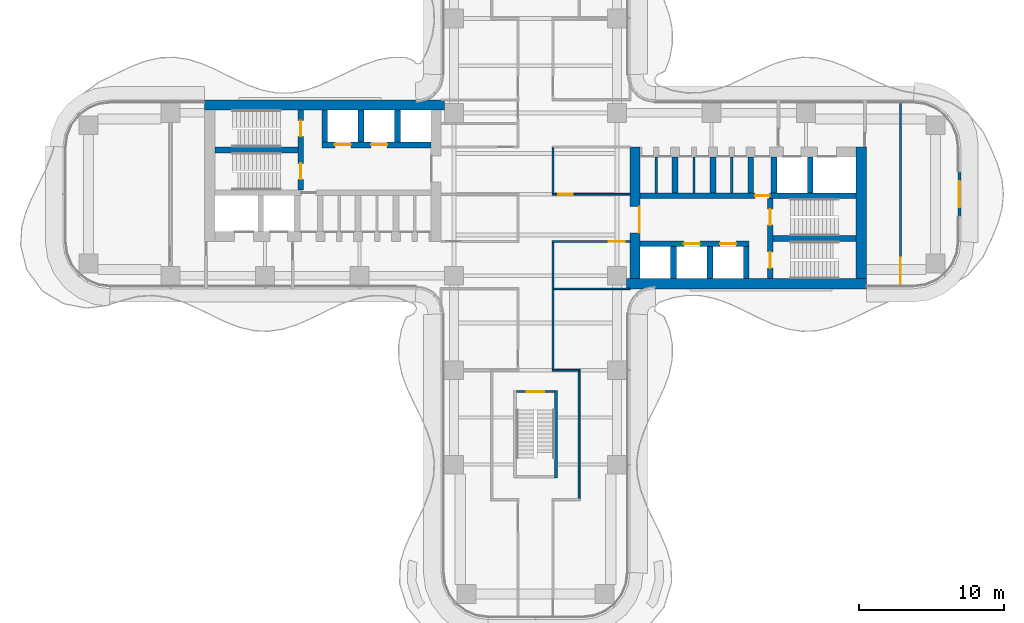
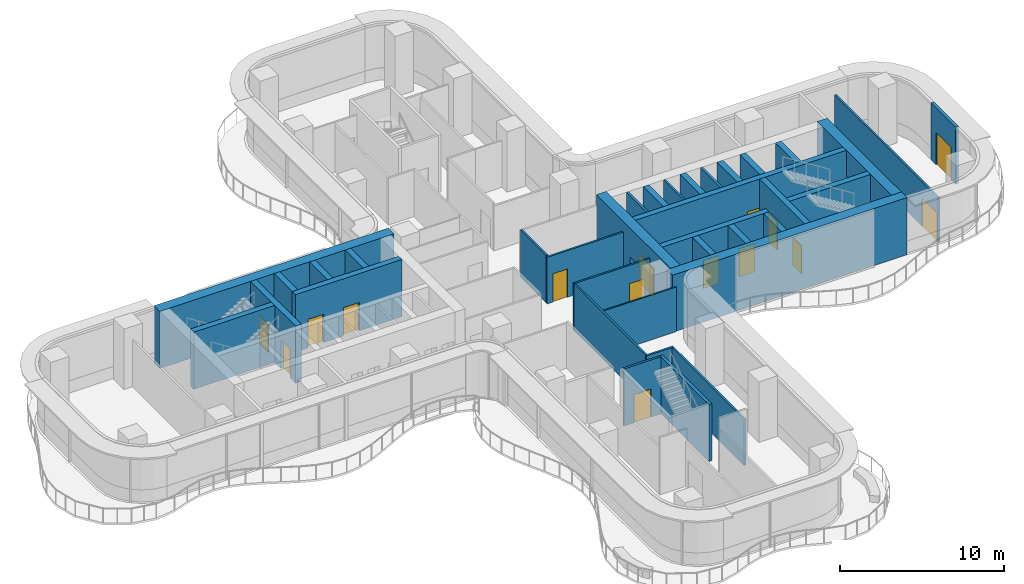
# One storey, part 17 of 21: 36 walls, 15 doors, 15 openings.
"""IFC4 building model written with IfcOpenShell, lengths in metres."""

from ifc_helpers import new_model, si_unit, direction, frame, frame_2d, origin, place, context, subcontext, project, spatial, rectangle, extrude, source, transform, mapped, material, layer, layer_set, type_object, element, fill, save


model = new_model("IFC4")

# Units and contexts
model_context = context("Model", 3, precision=1e-05, world=origin(), true_north=direction((0.0, 1.0)))
body_context = subcontext(model_context, "Body", "Model", "MODEL_VIEW")
ifc_project = project(units=[si_unit("LENGTHUNIT", "METRE"), si_unit("AREAUNIT", "SQUARE_METRE"), si_unit("VOLUMEUNIT", "CUBIC_METRE"), si_unit("PLANEANGLEUNIT", "RADIAN"), si_unit("MASSUNIT", "GRAM", prefix="KILO")], contexts=[model_context])

# Site, building, storey
site_placement = place(None, origin())
site = spatial("IfcSite", under=ifc_project, at=site_placement, CompositionType="ELEMENT")
building_placement = place(site_placement, origin())
building = spatial("IfcBuilding", under=site, at=building_placement, Name="Trellis Farm Tower", CompositionType="ELEMENT")
storey_placement = place(building_placement, frame((0.0, 0.0, 115.5)))
storey = spatial("IfcBuildingStorey", under=building, at=storey_placement, Name="L24", CompositionType="ELEMENT", Elevation=115.5)

# Wall, opening, door
ifc_material_1 = material(Name="Concrete C70/85", Category="concrete")
ifc_layer_1 = layer(ifc_material_1, 0.699951171875)
ifc_layer_set_1 = layer_set([ifc_layer_1], Name="CORE OUTER WALL 700 CONCRETE C70/85")
wall_type_1 = type_object("IfcWallType", Name="CORE OUTER WALL 700 CONCRETE C70/85", PredefinedType="SHEAR", material=ifc_layer_set_1)
shared_shape_1 = source(origin(), body_context, "Body", "SweptSolid", [
    extrude(rectangle(XDim=9.050048828125, YDim=0.699951171875, at=frame_2d((4.52490234375, 0.0))), origin(), (0.0, 0.0, 1.0), 4.25),
])
wall_1_placement = place(storey_placement, frame((6.85009765625, -5.800048828125, 0.0), z_axis=(0.0, 0.0, 1.0), x_axis=(0.0, 1.0, 0.0)))
wall_1 = element("IfcWall", 1, at=wall_1_placement, inside=storey, type_object=wall_type_1, Name="Core wall", PredefinedType="SHEAR", context=body_context, shape_type="MappedRepresentation", body=[
    mapped(shared_shape_1, transform((0.0, 0.0, 0.0))),
])
shared_shape_2 = source(origin(), body_context, "Body", "SweptSolid", [
    extrude(rectangle(XDim=1.800048828125, YDim=2.10009765625, at=frame_2d((0.89990234375, 1.050048828125))), frame((0.0, 0.360107421875, 0.0), z_axis=(0.0, -1.0, 0.0), x_axis=(1.0, 0.0, 0.0)), (0.0, 0.0, 1.0), 0.72021484375),
])
opening_1_placement = place(wall_1_placement, frame((3.14990234375, 0.0, 0.0)))
opening_1 = element("IfcOpeningElement", 2, at=opening_1_placement, cuts=wall_1, Name="Opening DC1", PredefinedType="OPENING", context=body_context, shape_type="MappedRepresentation", body=[
    mapped(shared_shape_2, transform((0.0, 0.0, 0.0))),
])
ifc_material_2 = material(Name="Steel", Category="steel")
door_type_1 = type_object("IfcDoorType", Name="CORE FIRE DOOR DOUBLE 1800 X 2100", OperationType="DOUBLE_DOOR_SINGLE_SWING", PredefinedType="DOOR", material=ifc_material_2)
shared_shape_3 = source(origin(), body_context, "Body", "SweptSolid", [
    extrude(rectangle(XDim=1.800048828125, YDim=2.10009765625, at=frame_2d((0.89990234375, 1.050048828125))), frame((0.0, -0.27490234375, 0.0), z_axis=(0.0, -1.0, 0.0), x_axis=(1.0, 0.0, 0.0)), (0.0, 0.0, 1.0), 0.050048828125),
])
door_1_placement = place(opening_1_placement, origin())
door_1 = element("IfcDoor", 3, at=door_1_placement, inside=storey, type_object=door_type_1, Name="Core door", OperationType="DOUBLE_DOOR_SINGLE_SWING", OverallHeight=2.10009765625, OverallWidth=1.800048828125, PredefinedType="DOOR", context=body_context, shape_type="MappedRepresentation", body=[
    mapped(shared_shape_3, transform((0.0, 0.0, 0.0))),
])
fill(opening_1, door_1)

# Walls
wall_2_placement = place(storey_placement, frame((22.39990234375, -5.800048828125, 0.0), z_axis=(0.0, 0.0, 1.0), x_axis=(0.0, 1.0, 0.0)))
element("IfcWall", 4, at=wall_2_placement, inside=storey, type_object=wall_type_1, Name="Core wall", PredefinedType="SHEAR", context=body_context, shape_type="MappedRepresentation", body=[
    mapped(shared_shape_1, transform((0.0, 0.0, 0.0))),
])
ifc_layer_2 = layer(ifc_material_1, 0.39990234375)
ifc_layer_set_2 = layer_set([ifc_layer_2], Name="CORE INNER WALL 400 CONCRETE C70/85")
wall_type_2 = type_object("IfcWallType", Name="CORE INNER WALL 400 CONCRETE C70/85", PredefinedType="SHEAR", material=ifc_layer_set_2)
shared_shape_4 = source(origin(), body_context, "Body", "SweptSolid", [
    extrude(rectangle(XDim=2.199951171875, YDim=0.39990234375, at=frame_2d((1.10009765625, 0.0))), origin(), (0.0, 0.0, 1.0), 4.25),
])
for number, where, z_axis, x_axis, name in (
    (5, (9.5, -5.800048828125, 0.0), (0.0, 0.0, 1.0), (0.0, 1.0, 0.0), "Core wall"),
    (6, (12.0, -5.800048828125, 0.0), (0.0, 0.0, 1.0), (0.0, 1.0, 0.0), "Core wall"),
    (7, (14.5, -5.800048828125, 0.0), (0.0, 0.0, 1.0), (0.0, 1.0, 0.0), "Core wall"),
    (8, (-9.5, 5.800048828125, 0.0), (0.0, 0.0, 1.0), (0.0, -1.0, 0.0), "Core wall"),
    (9, (-12.0, 5.800048828125, 0.0), (0.0, 0.0, 1.0), (0.0, -1.0, 0.0), "Core wall"),
    (10, (-14.5, 5.800048828125, 0.0), (0.0, 0.0, 1.0), (0.0, -1.0, 0.0), "Core wall"),
):
    element("IfcWall", number, at=place(storey_placement, frame(where, z_axis=z_axis, x_axis=x_axis)), inside=storey, type_object=wall_type_2, Name=name, PredefinedType="SHEAR", context=body_context, shape_type="MappedRepresentation", body=[
        mapped(shared_shape_4, transform((0.0, 0.0, 0.0))),
    ])
shared_shape_5 = source(origin(), body_context, "Body", "SweptSolid", [
    extrude(rectangle(XDim=2.449951171875, YDim=0.39990234375, at=frame_2d((1.22509765625, 0.0))), origin(), (0.0, 0.0, 1.0), 4.25),
])
for number, where, z_axis, x_axis, name in (
    (11, (9.60009765625, 0.10009765625, 0.0), (0.0, 0.0, 1.0), (0.0, 1.0, 0.0), "Core wall"),
    (12, (12.199951171875, 0.10009765625, 0.0), (0.0, 0.0, 1.0), (0.0, 1.0, 0.0), "Core wall"),
    (13, (14.800048828125, 0.10009765625, 0.0), (0.0, 0.0, 1.0), (0.0, 1.0, 0.0), "Core wall"),
    (14, (16.39990234375, 0.10009765625, 0.0), (0.0, 0.0, 1.0), (0.0, 1.0, 0.0), "Core wall"),
    (15, (18.89990234375, 0.10009765625, 0.0), (0.0, 0.0, 1.0), (0.0, 1.0, 0.0), "Core wall"),
):
    element("IfcWall", number, at=place(storey_placement, frame(where, z_axis=z_axis, x_axis=x_axis)), inside=storey, type_object=wall_type_2, Name=name, PredefinedType="SHEAR", context=body_context, shape_type="MappedRepresentation", body=[
        mapped(shared_shape_5, transform((0.0, 0.0, 0.0))),
    ])

# Wall, openings, doors
shared_shape_6 = source(origin(), body_context, "Body", "SweptSolid", [
    extrude(rectangle(XDim=7.5, YDim=0.39990234375, at=frame_2d((3.75, 0.0))), origin(), (0.0, 0.0, 1.0), 4.25),
])
wall_3_placement = place(storey_placement, frame((7.199951171875, -3.39990234375, 0.0), z_axis=(0.0, 0.0, 1.0), x_axis=(1.0, 0.0, 0.0)))
wall_3 = element("IfcWall", 16, at=wall_3_placement, inside=storey, type_object=wall_type_2, Name="Core wall", PredefinedType="SHEAR", context=body_context, shape_type="MappedRepresentation", body=[
    mapped(shared_shape_6, transform((0.0, 0.0, 0.0))),
])
shared_shape_7 = source(origin(), body_context, "Body", "SweptSolid", [
    extrude(rectangle(XDim=1.10009765625, YDim=2.10009765625, at=frame_2d((0.550048828125, 1.050048828125))), frame((0.0, 0.2099609375, 0.0), z_axis=(0.0, -1.0, 0.0), x_axis=(1.0, 0.0, 0.0)), (0.0, 0.0, 1.0), 0.419921875),
])
opening_2_placement = place(wall_3_placement, frame((3.0, 0.0, 0.0)))
opening_2 = element("IfcOpeningElement", 17, at=opening_2_placement, cuts=wall_3, Name="Opening LD2", PredefinedType="OPENING", context=body_context, shape_type="MappedRepresentation", body=[
    mapped(shared_shape_7, transform((0.0, 0.0, 0.0))),
])
opening_3_placement = place(wall_3_placement, frame((5.5, 0.0, 0.0)))
opening_3 = element("IfcOpeningElement", 18, at=opening_3_placement, cuts=wall_3, Name="Opening LD3", PredefinedType="OPENING", context=body_context, shape_type="MappedRepresentation", body=[
    mapped(shared_shape_7, transform((0.0, 0.0, 0.0))),
])
ifc_material_3 = material(Name="Stainless steel", Category="steel")
door_type_2 = type_object("IfcDoorType", Name="LIFT LANDING DOOR 1100 X 2100", OperationType="DOUBLE_DOOR_SLIDING", PredefinedType="DOOR", material=ifc_material_3)
shared_shape_8 = source(origin(), body_context, "Body", "SweptSolid", [
    extrude(rectangle(XDim=1.10009765625, YDim=2.10009765625, at=frame_2d((0.550048828125, 1.050048828125))), frame((0.0, 0.02490234375, 0.0), z_axis=(0.0, -1.0, 0.0), x_axis=(1.0, 0.0, 0.0)), (0.0, 0.0, 1.0), 0.050048828125),
])
door_2_placement = place(opening_2_placement, origin())
door_2 = element("IfcDoor", 19, at=door_2_placement, inside=storey, type_object=door_type_2, Name="Lift landing door", OperationType="DOUBLE_DOOR_SLIDING", OverallHeight=2.10009765625, OverallWidth=1.10009765625, PredefinedType="DOOR", context=body_context, shape_type="MappedRepresentation", body=[
    mapped(shared_shape_8, transform((0.0, 0.0, 0.0))),
])
fill(opening_2, door_2)
door_3_placement = place(opening_3_placement, origin())
door_3 = element("IfcDoor", 20, at=door_3_placement, inside=storey, type_object=door_type_2, Name="Lift landing door", OperationType="DOUBLE_DOOR_SLIDING", OverallHeight=2.10009765625, OverallWidth=1.10009765625, PredefinedType="DOOR", context=body_context, shape_type="MappedRepresentation", body=[
    mapped(shared_shape_8, transform((0.0, 0.0, 0.0))),
])
fill(opening_3, door_3)

wall_4_placement = place(storey_placement, frame((-7.199951171875, 3.39990234375, 0.0), z_axis=(0.0, 0.0, 1.0), x_axis=(-1.0, 0.0, 0.0)))
wall_4 = element("IfcWall", 21, at=wall_4_placement, inside=storey, type_object=wall_type_2, Name="Core wall", PredefinedType="SHEAR", context=body_context, shape_type="MappedRepresentation", body=[
    mapped(shared_shape_6, transform((0.0, 0.0, 0.0))),
])
opening_4_placement = place(wall_4_placement, frame((3.0, 0.0, 0.0)))
opening_4 = element("IfcOpeningElement", 22, at=opening_4_placement, cuts=wall_4, Name="Opening LD10", PredefinedType="OPENING", context=body_context, shape_type="MappedRepresentation", body=[
    mapped(shared_shape_7, transform((0.0, 0.0, 0.0))),
])
opening_5_placement = place(wall_4_placement, frame((5.5, 0.0, 0.0)))
opening_5 = element("IfcOpeningElement", 23, at=opening_5_placement, cuts=wall_4, Name="Opening LD11", PredefinedType="OPENING", context=body_context, shape_type="MappedRepresentation", body=[
    mapped(shared_shape_7, transform((0.0, 0.0, 0.0))),
])
door_4_placement = place(opening_4_placement, origin())
door_4 = element("IfcDoor", 24, at=door_4_placement, inside=storey, type_object=door_type_2, Name="Lift landing door", OperationType="DOUBLE_DOOR_SLIDING", OverallHeight=2.10009765625, OverallWidth=1.10009765625, PredefinedType="DOOR", context=body_context, shape_type="MappedRepresentation", body=[
    mapped(shared_shape_8, transform((0.0, 0.0, 0.0))),
])
fill(opening_4, door_4)
door_5_placement = place(opening_5_placement, origin())
door_5 = element("IfcDoor", 25, at=door_5_placement, inside=storey, type_object=door_type_2, Name="Lift landing door", OperationType="DOUBLE_DOOR_SLIDING", OverallHeight=2.10009765625, OverallWidth=1.10009765625, PredefinedType="DOOR", context=body_context, shape_type="MappedRepresentation", body=[
    mapped(shared_shape_8, transform((0.0, 0.0, 0.0))),
])
fill(opening_5, door_5)

# Wall, opening, door
shared_shape_9 = source(origin(), body_context, "Body", "SweptSolid", [
    extrude(rectangle(XDim=14.85009765625, YDim=0.39990234375, at=frame_2d((7.425048828125, 0.0))), origin(), (0.0, 0.0, 1.0), 4.25),
])
wall_5_placement = place(storey_placement, frame((7.199951171875, -0.10009765625, 0.0), z_axis=(0.0, 0.0, 1.0), x_axis=(1.0, 0.0, 0.0)))
wall_5 = element("IfcWall", 26, at=wall_5_placement, inside=storey, type_object=wall_type_2, Name="Core wall", PredefinedType="SHEAR", context=body_context, shape_type="MappedRepresentation", body=[
    mapped(shared_shape_9, transform((0.0, 0.0, 0.0))),
])
shared_shape_10 = source(origin(), body_context, "Body", "SweptSolid", [
    extrude(rectangle(XDim=1.0, YDim=2.10009765625, at=frame_2d((0.5, 1.050048828125))), frame((0.0, 0.2099609375, 0.0), z_axis=(0.0, -1.0, 0.0), x_axis=(1.0, 0.0, 0.0)), (0.0, 0.0, 1.0), 0.419921875),
])
opening_6_placement = place(wall_5_placement, frame((7.89990234375, 0.0, 0.0)))
opening_6 = element("IfcOpeningElement", 27, at=opening_6_placement, cuts=wall_5, Name="Opening DC5", PredefinedType="OPENING", context=body_context, shape_type="MappedRepresentation", body=[
    mapped(shared_shape_10, transform((0.0, 0.0, 0.0))),
])
door_type_3 = type_object("IfcDoorType", Name="CORE FIRE DOOR 1000 X 2100", OperationType="NOTDEFINED", PredefinedType="DOOR", material=ifc_material_2)
shared_shape_11 = source(origin(), body_context, "Body", "SweptSolid", [
    extrude(rectangle(XDim=1.0, YDim=2.10009765625, at=frame_2d((0.5, 1.050048828125))), frame((0.0, 0.02490234375, 0.0), z_axis=(0.0, -1.0, 0.0), x_axis=(1.0, 0.0, 0.0)), (0.0, 0.0, 1.0), 0.050048828125),
])
door_6_placement = place(opening_6_placement, origin())
door_6 = element("IfcDoor", 28, at=door_6_placement, inside=storey, type_object=door_type_3, Name="Core door", OperationType="SINGLE_SWING_RIGHT", OverallHeight=2.10009765625, OverallWidth=1.0, PredefinedType="DOOR", context=body_context, shape_type="MappedRepresentation", body=[
    mapped(shared_shape_11, transform((0.0, 0.0, 0.0))),
])
fill(opening_6, door_6)

# Wall, openings, doors
shared_shape_12 = source(origin(), body_context, "Body", "SweptSolid", [
    extrude(rectangle(XDim=5.5, YDim=0.39990234375, at=frame_2d((2.75, 0.0))), origin(), (0.0, 0.0, 1.0), 4.25),
])
wall_6_placement = place(storey_placement, frame((16.14990234375, -5.800048828125, 0.0), z_axis=(0.0, 0.0, 1.0), x_axis=(0.0, 1.0, 0.0)))
wall_6 = element("IfcWall", 29, at=wall_6_placement, inside=storey, type_object=wall_type_2, Name="Core wall", PredefinedType="SHEAR", context=body_context, shape_type="MappedRepresentation", body=[
    mapped(shared_shape_12, transform((0.0, 0.0, 0.0))),
])
opening_7_placement = place(wall_6_placement, frame((0.72509765625, 0.0, 0.0)))
opening_7 = element("IfcOpeningElement", 30, at=opening_7_placement, cuts=wall_6, Name="Opening DC2", PredefinedType="OPENING", context=body_context, shape_type="MappedRepresentation", body=[
    mapped(shared_shape_7, transform((0.0, 0.0, 0.0))),
])
opening_8_placement = place(wall_6_placement, frame((3.675048828125, 0.0, 0.0)))
opening_8 = element("IfcOpeningElement", 31, at=opening_8_placement, cuts=wall_6, Name="Opening DC3", PredefinedType="OPENING", context=body_context, shape_type="MappedRepresentation", body=[
    mapped(shared_shape_7, transform((0.0, 0.0, 0.0))),
])
door_type_4 = type_object("IfcDoorType", Name="CORE FIRE DOOR 1100 X 2100", OperationType="NOTDEFINED", PredefinedType="DOOR", material=ifc_material_2)
door_7_placement = place(opening_7_placement, origin())
door_7 = element("IfcDoor", 32, at=door_7_placement, inside=storey, type_object=door_type_4, Name="Core door", OperationType="SINGLE_SWING_RIGHT", OverallHeight=2.10009765625, OverallWidth=1.10009765625, PredefinedType="DOOR", context=body_context, shape_type="MappedRepresentation", body=[
    mapped(shared_shape_8, transform((0.0, 0.0, 0.0))),
])
fill(opening_7, door_7)
door_8_placement = place(opening_8_placement, origin())
door_8 = element("IfcDoor", 33, at=door_8_placement, inside=storey, type_object=door_type_4, Name="Core door", OperationType="SINGLE_SWING_LEFT", OverallHeight=2.10009765625, OverallWidth=1.10009765625, PredefinedType="DOOR", context=body_context, shape_type="MappedRepresentation", body=[
    mapped(shared_shape_8, transform((0.0, 0.0, 0.0))),
])
fill(opening_8, door_8)

wall_7_placement = place(storey_placement, frame((-16.14990234375, 5.800048828125, 0.0), z_axis=(0.0, 0.0, 1.0), x_axis=(0.0, -1.0, 0.0)))
wall_7 = element("IfcWall", 34, at=wall_7_placement, inside=storey, type_object=wall_type_2, Name="Core wall", PredefinedType="SHEAR", context=body_context, shape_type="MappedRepresentation", body=[
    mapped(shared_shape_12, transform((0.0, 0.0, 0.0))),
])
opening_9_placement = place(wall_7_placement, frame((0.72509765625, 0.0, 0.0)))
opening_9 = element("IfcOpeningElement", 35, at=opening_9_placement, cuts=wall_7, Name="Opening DC88", PredefinedType="OPENING", context=body_context, shape_type="MappedRepresentation", body=[
    mapped(shared_shape_7, transform((0.0, 0.0, 0.0))),
])
opening_10_placement = place(wall_7_placement, frame((3.675048828125, 0.0, 0.0)))
opening_10 = element("IfcOpeningElement", 36, at=opening_10_placement, cuts=wall_7, Name="Opening DC89", PredefinedType="OPENING", context=body_context, shape_type="MappedRepresentation", body=[
    mapped(shared_shape_7, transform((0.0, 0.0, 0.0))),
])
door_9_placement = place(opening_9_placement, origin())
door_9 = element("IfcDoor", 37, at=door_9_placement, inside=storey, type_object=door_type_4, Name="Core door", OperationType="SINGLE_SWING_RIGHT", OverallHeight=2.10009765625, OverallWidth=1.10009765625, PredefinedType="DOOR", context=body_context, shape_type="MappedRepresentation", body=[
    mapped(shared_shape_8, transform((0.0, 0.0, 0.0))),
])
fill(opening_9, door_9)
door_10_placement = place(opening_10_placement, origin())
door_10 = element("IfcDoor", 38, at=door_10_placement, inside=storey, type_object=door_type_4, Name="Core door", OperationType="SINGLE_SWING_LEFT", OverallHeight=2.10009765625, OverallWidth=1.10009765625, PredefinedType="DOOR", context=body_context, shape_type="MappedRepresentation", body=[
    mapped(shared_shape_8, transform((0.0, 0.0, 0.0))),
])
fill(opening_10, door_10)

# Walls
shared_shape_13 = source(origin(), body_context, "Body", "SweptSolid", [
    extrude(rectangle(XDim=5.699951171875, YDim=0.39990234375, at=frame_2d((2.85009765625, 0.0))), origin(), (0.0, 0.0, 1.0), 4.25),
])
for number, where, z_axis, x_axis, name in (
    (39, (16.35009765625, -3.050048828125, 0.0), (0.0, 0.0, 1.0), (1.0, 0.0, 0.0), "Core wall"),
    (40, (-16.35009765625, 3.050048828125, 0.0), (0.0, 0.0, 1.0), (-1.0, 0.0, 0.0), "Core wall"),
):
    element("IfcWall", number, at=place(storey_placement, frame(where, z_axis=z_axis, x_axis=x_axis)), inside=storey, type_object=wall_type_2, Name=name, PredefinedType="SHEAR", context=body_context, shape_type="MappedRepresentation", body=[
        mapped(shared_shape_13, transform((0.0, 0.0, 0.0))),
    ])
ifc_material_4 = material(Name="Masonry blockwork", Category="masonry")
ifc_layer_3 = layer(ifc_material_4, 0.14990234375)
ifc_layer_set_3 = layer_set([ifc_layer_3], Name="CORE PARTITION 150 BLOCKWORK")
wall_type_3 = type_object("IfcWallType", Name="CORE PARTITION 150 BLOCKWORK", PredefinedType="PARTITIONING", material=ifc_layer_set_3)
shared_shape_14 = source(origin(), body_context, "Body", "SweptSolid", [
    extrude(rectangle(XDim=2.449951171875, YDim=0.14990234375, at=frame_2d((1.22509765625, 0.0))), origin(), (0.0, 0.0, 1.0), 4.25),
])
for number, where, z_axis, x_axis, name in (
    (41, (8.300048828125, 0.10009765625, 0.0), (0.0, 0.0, 1.0), (0.0, 1.0, 0.0), "Core room partition"),
    (42, (10.89990234375, 0.10009765625, 0.0), (0.0, 0.0, 1.0), (0.0, 1.0, 0.0), "Core room partition"),
    (43, (13.5, 0.10009765625, 0.0), (0.0, 0.0, 1.0), (0.0, 1.0, 0.0), "Core room partition"),
):
    element("IfcWall", number, at=place(storey_placement, frame(where, z_axis=z_axis, x_axis=x_axis)), inside=storey, type_object=wall_type_3, Name=name, PredefinedType="PARTITIONING", context=body_context, shape_type="MappedRepresentation", body=[
        mapped(shared_shape_14, transform((0.0, 0.0, 0.0))),
    ])
shared_shape_15 = source(origin(), body_context, "Body", "SweptSolid", [
    extrude(rectangle(XDim=16.5, YDim=0.699951171875, at=frame_2d((8.25, 0.0))), origin(), (0.0, 0.0, 1.0), 4.25),
])
for number, where, z_axis, x_axis, name in (
    (44, (6.25, -6.14990234375, 0.0), (0.0, 0.0, 1.0), (1.0, 0.0, 0.0), "Core wall"),
    (45, (-6.25, 6.14990234375, 0.0), (0.0, 0.0, 1.0), (-1.0, 0.0, 0.0), "Core wall"),
):
    element("IfcWall", number, at=place(storey_placement, frame(where, z_axis=z_axis, x_axis=x_axis)), inside=storey, type_object=wall_type_1, Name=name, PredefinedType="SHEAR", context=body_context, shape_type="MappedRepresentation", body=[
        mapped(shared_shape_15, transform((0.0, 0.0, 0.0))),
    ])
ifc_layer_4 = layer(ifc_material_1, 0.199951171875)
ifc_layer_set_4 = layer_set([ifc_layer_4], Name="CORE STAIR ENCLOSURE WALL 200 CONCRETE C70/85")
wall_type_4 = type_object("IfcWallType", Name="CORE STAIR ENCLOSURE WALL 200 CONCRETE C70/85", PredefinedType="SHEAR", material=ifc_layer_set_4)
shared_shape_16 = source(origin(), body_context, "Body", "SweptSolid", [
    extrude(rectangle(XDim=6.0, YDim=0.199951171875, at=frame_2d((3.0, 0.0))), origin(), (0.0, 0.0, 1.0), 4.25),
])
wall_8_placement = place(storey_placement, frame((1.39990234375, -13.5, 0.0), z_axis=(0.0, 0.0, 1.0), x_axis=(0.0, -1.0, 0.0)))
element("IfcWall", 46, at=wall_8_placement, inside=storey, type_object=wall_type_4, Name="Stair enclosure wall", PredefinedType="SHEAR", context=body_context, shape_type="MappedRepresentation", body=[
    mapped(shared_shape_16, transform((0.0, 0.0, 0.0))),
])

# Wall, opening, door
ifc_layer_5 = layer(ifc_material_1, 0.14990234375)
ifc_layer_set_5 = layer_set([ifc_layer_5], Name="CORE STAIR ENCLOSURE WALL 150 CONCRETE C70/85")
wall_type_5 = type_object("IfcWallType", Name="CORE STAIR ENCLOSURE WALL 150 CONCRETE C70/85", PredefinedType="SHEAR", material=ifc_layer_set_5)
shared_shape_17 = source(origin(), body_context, "Body", "SweptSolid", [
    extrude(rectangle(XDim=2.60009765625, YDim=0.14990234375, at=frame_2d((1.300048828125, 0.0))), origin(), (0.0, 0.0, 1.0), 4.25),
])
wall_9_placement = place(storey_placement, frame((1.300048828125, -13.574951171875, 0.0), z_axis=(0.0, 0.0, 1.0), x_axis=(-1.0, 0.0, 0.0)))
wall_9 = element("IfcWall", 47, at=wall_9_placement, inside=storey, type_object=wall_type_5, Name="Stair enclosure wall", PredefinedType="SHEAR", context=body_context, shape_type="MappedRepresentation", body=[
    mapped(shared_shape_17, transform((0.0, 0.0, 0.0))),
])
shared_shape_18 = source(origin(), body_context, "Body", "SweptSolid", [
    extrude(rectangle(XDim=1.199951171875, YDim=2.10009765625, at=frame_2d((0.60009765625, 1.050048828125))), frame((0.0, 0.0849609375, 0.0), z_axis=(0.0, -1.0, 0.0), x_axis=(1.0, 0.0, 0.0)), (0.0, 0.0, 1.0), 0.169921875),
])
opening_11_placement = place(wall_9_placement, frame((0.699951171875, 0.0, 0.0)))
opening_11 = element("IfcOpeningElement", 48, at=opening_11_placement, cuts=wall_9, Name="Opening DC174", PredefinedType="OPENING", context=body_context, shape_type="MappedRepresentation", body=[
    mapped(shared_shape_18, transform((0.0, 0.0, 0.0))),
])
door_type_5 = type_object("IfcDoorType", Name="CORE FIRE DOOR 1200 X 2100", OperationType="NOTDEFINED", PredefinedType="DOOR", material=ifc_material_2)
shared_shape_19 = source(origin(), body_context, "Body", "SweptSolid", [
    extrude(rectangle(XDim=1.199951171875, YDim=2.10009765625, at=frame_2d((0.60009765625, 1.050048828125))), frame((0.0, 0.02490234375, 0.0), z_axis=(0.0, -1.0, 0.0), x_axis=(1.0, 0.0, 0.0)), (0.0, 0.0, 1.0), 0.050048828125),
])
door_11_placement = place(opening_11_placement, origin())
door_11 = element("IfcDoor", 49, at=door_11_placement, inside=storey, type_object=door_type_5, Name="Core door", OperationType="SINGLE_SWING_RIGHT", OverallHeight=2.10009765625, OverallWidth=1.199951171875, PredefinedType="DOOR", context=body_context, shape_type="MappedRepresentation", body=[
    mapped(shared_shape_19, transform((0.0, 0.0, 0.0))),
])
fill(opening_11, door_11)

ifc_material_5 = material(Name="Sandstone faced insulated wall", Category="masonry")
ifc_layer_6 = layer(ifc_material_5, 0.199951171875)
ifc_layer_set_6 = layer_set([ifc_layer_6], Name="EXTERNAL INFILL WALL 200")
wall_type_6 = type_object("IfcWallType", Name="EXTERNAL INFILL WALL 200", PredefinedType="SOLIDWALL", material=ifc_layer_set_6)
shared_shape_20 = source(origin(), body_context, "Body", "SweptSolid", [
    extrude(rectangle(XDim=3.0, YDim=0.199951171875, at=frame_2d((1.5, 0.0))), origin(), (0.0, 0.0, 1.0), 4.25),
])
wall_10_placement = place(storey_placement, frame((29.14990234375, -1.5, 0.0), z_axis=(0.0, 0.0, 1.0), x_axis=(0.0, 1.0, 0.0)))
wall_10 = element("IfcWall", 50, at=wall_10_placement, inside=storey, type_object=wall_type_6, Name="EW1 01", PredefinedType="SOLIDWALL", context=body_context, shape_type="MappedRepresentation", body=[
    mapped(shared_shape_20, transform((0.0, 0.0, 0.0))),
])
shared_shape_21 = source(origin(), body_context, "Body", "SweptSolid", [
    extrude(rectangle(XDim=1.800048828125, YDim=2.39990234375, at=frame_2d((0.89990234375, 1.199951171875))), frame((0.0, 0.110107421875, 0.0), z_axis=(0.0, -1.0, 0.0), x_axis=(1.0, 0.0, 0.0)), (0.0, 0.0, 1.0), 0.22021484375),
])
opening_12_placement = place(wall_10_placement, frame((0.60009765625, 0.0, 0.0)))
opening_12 = element("IfcOpeningElement", 51, at=opening_12_placement, cuts=wall_10, Name="Opening ED1", PredefinedType="OPENING", context=body_context, shape_type="MappedRepresentation", body=[
    mapped(shared_shape_21, transform((0.0, 0.0, 0.0))),
])
ifc_material_6 = material(Name="Aluminium framed glazed door", Category="aluminium")
door_type_6 = type_object("IfcDoorType", Name="BALCONY DOOR 1800x2400", OperationType="DOUBLE_DOOR_SINGLE_SWING", PredefinedType="DOOR", material=ifc_material_6)
shared_shape_22 = source(origin(), body_context, "Body", "SweptSolid", [
    extrude(rectangle(XDim=1.800048828125, YDim=2.39990234375, at=frame_2d((0.89990234375, 1.199951171875))), frame((0.0, 0.02490234375, 0.0), z_axis=(0.0, -1.0, 0.0), x_axis=(1.0, 0.0, 0.0)), (0.0, 0.0, 1.0), 0.050048828125),
])
door_12_placement = place(opening_12_placement, origin())
door_12 = element("IfcDoor", 52, at=door_12_placement, inside=storey, type_object=door_type_6, Name="Balcony door", OperationType="DOUBLE_DOOR_SINGLE_SWING", OverallHeight=2.39990234375, OverallWidth=1.800048828125, PredefinedType="DOOR", context=body_context, shape_type="MappedRepresentation", body=[
    mapped(shared_shape_22, transform((0.0, 0.0, 0.0))),
])
fill(opening_12, door_12)

# Walls
ifc_material_7 = material(Name="Plasterboard on steel studs, mineral wool", Category="steel")
ifc_layer_7 = layer(ifc_material_7, 0.125)
ifc_layer_set_7 = layer_set([ifc_layer_7], Name="PARTITION 125 STUD EI 60")
wall_type_7 = type_object("IfcWallType", Name="PARTITION 125 STUD EI 60", PredefinedType="PARTITIONING", material=ifc_layer_set_7)
shared_shape_23 = source(origin(), body_context, "Body", "SweptSolid", [
    extrude(rectangle(XDim=3.125, YDim=0.125, at=frame_2d((1.5625, 0.0))), origin(), (0.0, 0.0, 1.0), 3.54638671875),
])
wall_11_placement = place(storey_placement, frame((1.199951171875, 3.1875, 0.0), z_axis=(0.0, 0.0, 1.0), x_axis=(0.0, -1.0, 0.0)))
element("IfcWall", 53, at=wall_11_placement, inside=storey, type_object=wall_type_7, Name="Partition PW1", PredefinedType="PARTITIONING", context=body_context, shape_type="MappedRepresentation", body=[
    mapped(shared_shape_23, transform((0.0, 0.0, 0.0))),
])
shared_shape_24 = source(origin(), body_context, "Body", "SweptSolid", [
    extrude(rectangle(XDim=1.925048828125, YDim=0.125, at=frame_2d((0.96240234375, 0.0))), origin(), (0.0, 0.0, 1.0), 3.4677734375),
])
wall_12_placement = place(storey_placement, frame((1.137451171875, -12.10009765625, 0.0), z_axis=(0.0, 0.0, 1.0), x_axis=(1.0, 0.0, 0.0)))
element("IfcWall", 54, at=wall_12_placement, inside=storey, type_object=wall_type_7, Name="Partition PW1", PredefinedType="PARTITIONING", context=body_context, shape_type="MappedRepresentation", body=[
    mapped(shared_shape_24, transform((0.0, 0.0, 0.0))),
])

# Wall, opening, door
shared_shape_25 = source(origin(), body_context, "Body", "SweptSolid", [
    extrude(rectangle(XDim=5.362548828125, YDim=0.125, at=frame_2d((2.68115234375, 0.0))), origin(), (0.0, 0.0, 1.0), 3.4677734375),
])
wall_13_placement = place(storey_placement, frame((6.5, -3.25, 0.0), z_axis=(0.0, 0.0, 1.0), x_axis=(-1.0, 0.0, 0.0)))
wall_13 = element("IfcWall", 55, at=wall_13_placement, inside=storey, type_object=wall_type_7, Name="Partition PW1", PredefinedType="PARTITIONING", context=body_context, shape_type="MappedRepresentation", body=[
    mapped(shared_shape_25, transform((0.0, 0.0, 0.0))),
])
shared_shape_26 = source(origin(), body_context, "Body", "SweptSolid", [
    extrude(rectangle(XDim=1.10009765625, YDim=2.10009765625, at=frame_2d((0.550048828125, 1.050048828125))), frame((0.0, 0.072509765625, 0.0), z_axis=(0.0, -1.0, 0.0), x_axis=(1.0, 0.0, 0.0)), (0.0, 0.0, 1.0), 0.14501953125),
])
opening_13_placement = place(wall_13_placement, frame((0.35009765625, 0.0, 0.0)))
opening_13 = element("IfcOpeningElement", 56, at=opening_13_placement, cuts=wall_13, Name="Opening D501", PredefinedType="OPENING", context=body_context, shape_type="MappedRepresentation", body=[
    mapped(shared_shape_26, transform((0.0, 0.0, 0.0))),
])
ifc_material_8 = material(Name="Fire-rated timber door leaf in a hollow metal frame", Category="wood")
door_type_7 = type_object("IfcDoorType", Name="DOOR 1100x2100 FD30S", OperationType="NOTDEFINED", PredefinedType="DOOR", material=ifc_material_8)
door_13_placement = place(opening_13_placement, origin())
door_13 = element("IfcDoor", 57, at=door_13_placement, inside=storey, type_object=door_type_7, Name="Door D501", OperationType="SINGLE_SWING_LEFT", OverallHeight=2.10009765625, OverallWidth=1.10009765625, PredefinedType="DOOR", context=body_context, shape_type="MappedRepresentation", body=[
    mapped(shared_shape_8, transform((0.0, 0.0, 0.0))),
])
fill(opening_13, door_13)

wall_14_placement = place(storey_placement, frame((6.5, 0.0, 0.0), z_axis=(0.0, 0.0, 1.0), x_axis=(-1.0, 0.0, 0.0)))
wall_14 = element("IfcWall", 58, at=wall_14_placement, inside=storey, type_object=wall_type_7, Name="Partition PW1", PredefinedType="PARTITIONING", context=body_context, shape_type="MappedRepresentation", body=[
    mapped(shared_shape_25, transform((0.0, 0.0, 0.0))),
])
shared_shape_27 = source(origin(), body_context, "Body", "SweptSolid", [
    extrude(rectangle(XDim=1.0, YDim=2.10009765625, at=frame_2d((0.5, 1.050048828125))), frame((0.0, 0.072509765625, 0.0), z_axis=(0.0, -1.0, 0.0), x_axis=(1.0, 0.0, 0.0)), (0.0, 0.0, 1.0), 0.14501953125),
])
opening_14_placement = place(wall_14_placement, frame((3.949951171875, 0.0, 0.0)))
opening_14 = element("IfcOpeningElement", 59, at=opening_14_placement, cuts=wall_14, Name="Opening D104", PredefinedType="OPENING", context=body_context, shape_type="MappedRepresentation", body=[
    mapped(shared_shape_27, transform((0.0, 0.0, 0.0))),
])
door_type_8 = type_object("IfcDoorType", Name="DOOR 1000x2100 FD30S", OperationType="NOTDEFINED", PredefinedType="DOOR", material=ifc_material_8)
door_14_placement = place(opening_14_placement, origin())
door_14 = element("IfcDoor", 60, at=door_14_placement, inside=storey, type_object=door_type_8, Name="Door D104", OperationType="SINGLE_SWING_RIGHT", OverallHeight=2.10009765625, OverallWidth=1.0, PredefinedType="DOOR", context=body_context, shape_type="MappedRepresentation", body=[
    mapped(shared_shape_11, transform((0.0, 0.0, 0.0))),
])
fill(opening_14, door_14)

# Walls
shared_shape_28 = source(origin(), body_context, "Body", "SweptSolid", [
    extrude(rectangle(XDim=8.72509765625, YDim=0.125, at=frame_2d((4.362548828125, 0.0))), origin(), (0.0, 0.0, 1.0), 3.4677734375),
])
wall_15_placement = place(storey_placement, frame((1.199951171875, -3.3125, 0.0), z_axis=(0.0, 0.0, 1.0), x_axis=(0.0, -1.0, 0.0)))
element("IfcWall", 61, at=wall_15_placement, inside=storey, type_object=wall_type_7, Name="Partition PW1", PredefinedType="PARTITIONING", context=body_context, shape_type="MappedRepresentation", body=[
    mapped(shared_shape_28, transform((0.0, 0.0, 0.0))),
])
ifc_material_9 = material(Name="Plasterboard on steel studs", Category="steel")
ifc_layer_8 = layer(ifc_material_9, 0.10009765625)
ifc_layer_set_8 = layer_set([ifc_layer_8], Name="PARTITION 100 STUD EI 30")
wall_type_8 = type_object("IfcWallType", Name="PARTITION 100 STUD EI 30", PredefinedType="PARTITIONING", material=ifc_layer_set_8)
shared_shape_29 = source(origin(), body_context, "Body", "SweptSolid", [
    extrude(rectangle(XDim=5.237548828125, YDim=0.10009765625, at=frame_2d((2.61865234375, 0.0))), origin(), (0.0, 0.0, 1.0), 3.330078125),
])
wall_16_placement = place(storey_placement, frame((1.262451171875, -6.5, 0.0), z_axis=(0.0, 0.0, 1.0), x_axis=(1.0, 0.0, 0.0)))
element("IfcWall", 62, at=wall_16_placement, inside=storey, type_object=wall_type_8, Name="Partition PW2", PredefinedType="PARTITIONING", context=body_context, shape_type="MappedRepresentation", body=[
    mapped(shared_shape_29, transform((0.0, 0.0, 0.0))),
])

# Wall, opening, door
shared_shape_30 = source(origin(), body_context, "Body", "SweptSolid", [
    extrude(rectangle(XDim=12.60009765625, YDim=0.125, at=frame_2d((6.300048828125, 0.0))), origin(), (0.0, 0.0, 1.0), 3.330078125),
])
wall_17_placement = place(storey_placement, frame((25.10009765625, 6.300048828125, 0.0), z_axis=(0.0, 0.0, 1.0), x_axis=(0.0, -1.0, 0.0)))
wall_17 = element("IfcWall", 63, at=wall_17_placement, inside=storey, type_object=wall_type_7, Name="Partition PW1", PredefinedType="PARTITIONING", context=body_context, shape_type="MappedRepresentation", body=[
    mapped(shared_shape_30, transform((0.0, 0.0, 0.0))),
])
shared_shape_31 = source(origin(), body_context, "Body", "SweptSolid", [
    extrude(rectangle(XDim=1.800048828125, YDim=2.10009765625, at=frame_2d((0.89990234375, 1.050048828125))), frame((0.0, 0.072509765625, 0.0), z_axis=(0.0, -1.0, 0.0), x_axis=(1.0, 0.0, 0.0)), (0.0, 0.0, 1.0), 0.14501953125),
])
opening_15_placement = place(wall_17_placement, frame((10.64990234375, 0.0, 0.0)))
opening_15 = element("IfcOpeningElement", 64, at=opening_15_placement, cuts=wall_17, Name="Opening D202", PredefinedType="OPENING", context=body_context, shape_type="MappedRepresentation", body=[
    mapped(shared_shape_31, transform((0.0, 0.0, 0.0))),
])
door_type_9 = type_object("IfcDoorType", Name="DOOR PAIR 1800x2100 FD30S", OperationType="NOTDEFINED", PredefinedType="DOOR", material=ifc_material_8)
shared_shape_32 = source(origin(), body_context, "Body", "SweptSolid", [
    extrude(rectangle(XDim=1.800048828125, YDim=2.10009765625, at=frame_2d((0.89990234375, 1.050048828125))), frame((0.0, 0.02490234375, 0.0), z_axis=(0.0, -1.0, 0.0), x_axis=(1.0, 0.0, 0.0)), (0.0, 0.0, 1.0), 0.050048828125),
])
door_15_placement = place(opening_15_placement, origin())
door_15 = element("IfcDoor", 65, at=door_15_placement, inside=storey, type_object=door_type_9, Name="Door D202", OperationType="DOUBLE_DOOR_SINGLE_SWING", OverallHeight=2.10009765625, OverallWidth=1.800048828125, PredefinedType="DOOR", context=body_context, shape_type="MappedRepresentation", body=[
    mapped(shared_shape_32, transform((0.0, 0.0, 0.0))),
])
fill(opening_15, door_15)

# Wall
shared_shape_33 = source(origin(), body_context, "Body", "SweptSolid", [
    extrude(rectangle(XDim=8.77490234375, YDim=0.125, at=frame_2d((4.387451171875, 0.0))), origin(), (0.0, 0.0, 1.0), 3.4677734375),
])
wall_18_placement = place(storey_placement, frame((3.0, -12.16259765625, 0.0), z_axis=(0.0, 0.0, 1.0), x_axis=(0.0, -1.0, 0.0)))
element("IfcWall", 66, at=wall_18_placement, inside=storey, type_object=wall_type_7, Name="Partition PW1", PredefinedType="PARTITIONING", context=body_context, shape_type="MappedRepresentation", body=[
    mapped(shared_shape_33, transform((0.0, 0.0, 0.0))),
])

save(model, "model.ifc")
